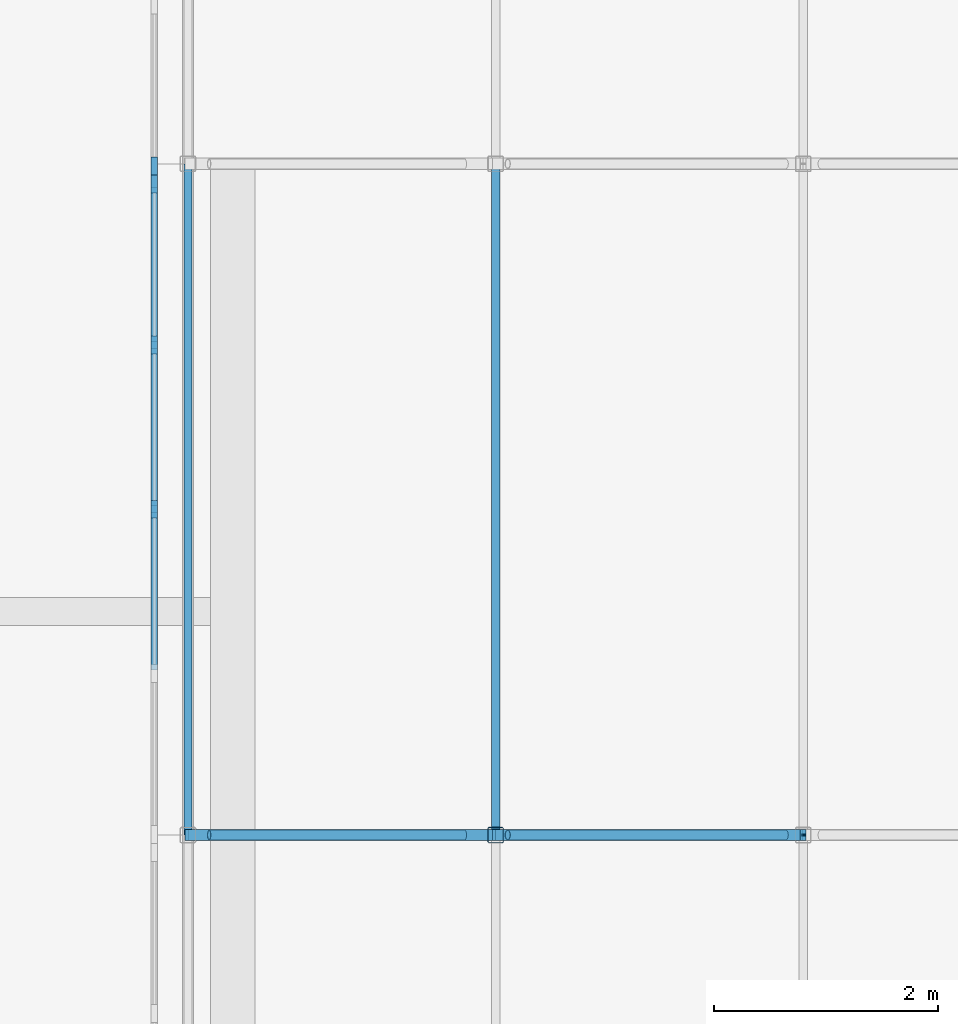
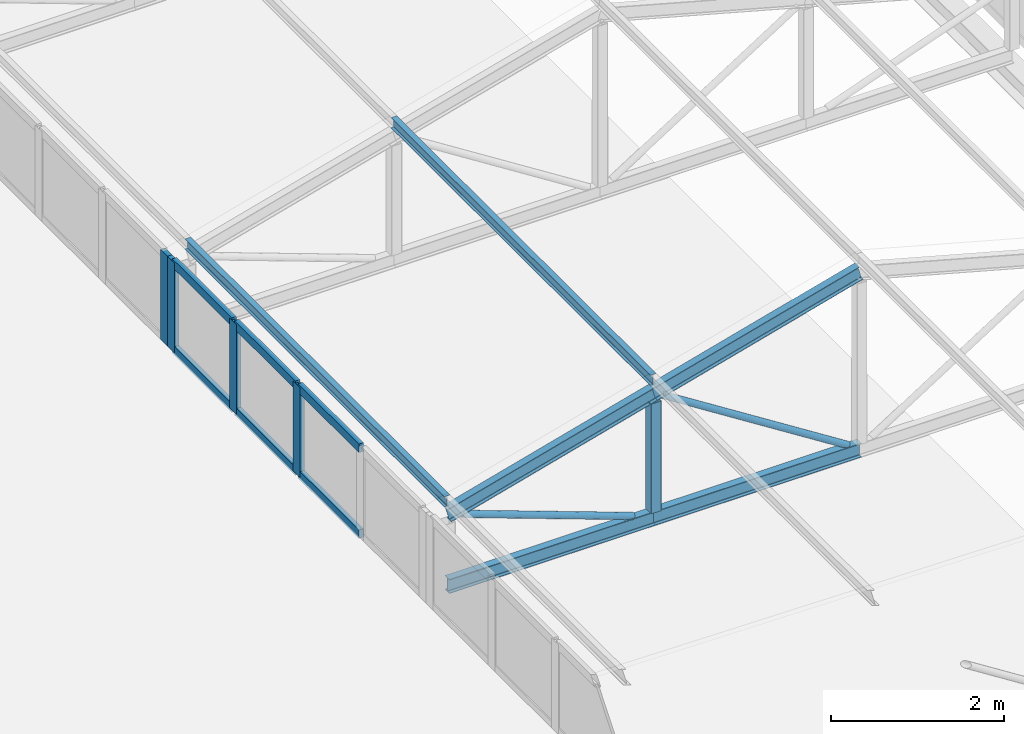
# One storey, part 38 of 94: 19 members, 2 elements without a shape of their own.
"""IFC4 building model written with IfcOpenShell, lengths in metres."""

from ifc_helpers import new_model, si_unit, direction, frame, origin, origin_2d, place, context, subcontext, project, spatial, rectangle, hollow_rectangle, hollow_circle, i_section, extrude, material, layer, layer_set, material_profile, profile_set, type_object, element, aggregate, save


model = new_model("IFC4")

# Units and contexts
model_context = context("Model", 3, precision=1e-05, world=origin(), true_north=direction((0.0, 1.0)))
body_context = subcontext(model_context, "Body", "Model", "MODEL_VIEW")
ifc_project = project(units=[si_unit("LENGTHUNIT", "METRE"), si_unit("AREAUNIT", "SQUARE_METRE"), si_unit("VOLUMEUNIT", "CUBIC_METRE"), si_unit("PLANEANGLEUNIT", "RADIAN"), si_unit("MASSUNIT", "GRAM", prefix="KILO")], contexts=[model_context])

# Site, building, storey
site_placement = place(None, origin())
site = spatial("IfcSite", under=ifc_project, at=site_placement, CompositionType="ELEMENT")
building_placement = place(site_placement, origin())
building = spatial("IfcBuilding", under=site, at=building_placement, Name="Lilac Gate Convention Centre", CompositionType="ELEMENT")
storey_placement = place(building_placement, frame((0.0, 0.0, 21.0)))
storey = spatial("IfcBuildingStorey", under=building, at=storey_placement, Name="L04", CompositionType="ELEMENT", Elevation=21.0)

# Curtain wall, members
ifc_material_1 = material(Name="Aluminium framed double glazing", Category="aluminium")
ifc_layer = layer(ifc_material_1, 0.199951171875)
ifc_layer_set = layer_set([ifc_layer], Name="Aluminium framed double glazing")
curtain_wall_type = type_object("IfcCurtainWallType", Name="Unitised curtain wall 1500", PredefinedType="NOTDEFINED", material=ifc_layer_set)
curtain_wall_1_placement = place(storey_placement, origin())
curtain_wall_1 = element("IfcCurtainWall", 1, at=curtain_wall_1_placement, inside=storey, type_object=curtain_wall_type, Name="Lantern clerestory W 20", PredefinedType="NOTDEFINED")
ifc_material_2 = material(Name="Aluminium alloy 6063", Category="aluminium")
ifc_material_profile_1 = material_profile(ifc_material_2, rectangle(XDim=0.06005859375, YDim=0.159912109375, at=origin_2d()), Name="Curtain wall mullion 60 x 160")
ifc_profile_set_1 = profile_set([ifc_material_profile_1], Name="Aluminium alloy 6063")
member_type_1 = type_object("IfcMemberType", Name="Curtain wall mullion 60 x 160", PredefinedType="MULLION", material=ifc_profile_set_1)
member_1_placement = place(storey_placement, frame((17.300048828125, 146.91259765625, 0.0), z_axis=(0.0, 0.0, 1.0), x_axis=(-1.0, 0.0, 0.0)))
member_1 = element("IfcMember", 2, at=member_1_placement, type_object=member_type_1, Name="CW mullion 3", PredefinedType="MULLION", context=body_context, shape_type="SweptSolid", body=[
    extrude(rectangle(XDim=0.06005859375, YDim=0.159912109375, at=origin_2d()), origin(), (0.0, 0.0, 1.0), 1.272216796875),
])
member_2_placement = place(storey_placement, frame((17.300048828125, 148.38134765625, 0.0), z_axis=(0.0, 0.0, 1.0), x_axis=(-1.0, 0.0, 0.0)))
member_2 = element("IfcMember", 3, at=member_2_placement, type_object=member_type_1, Name="CW mullion 4", PredefinedType="MULLION", context=body_context, shape_type="SweptSolid", body=[
    extrude(rectangle(XDim=0.06005859375, YDim=0.159912109375, at=origin_2d()), origin(), (0.0, 0.0, 1.0), 1.272216796875),
])
member_3_placement = place(storey_placement, frame((17.300048828125, 149.820068359375, 0.0), z_axis=(0.0, 0.0, 1.0), x_axis=(-1.0, 0.0, 0.0)))
member_3 = element("IfcMember", 4, at=member_3_placement, type_object=member_type_1, Name="CW mullion 5", PredefinedType="MULLION", context=body_context, shape_type="SweptSolid", body=[
    extrude(rectangle(XDim=0.06005859375, YDim=0.159912109375, at=origin_2d()), origin(), (0.0, 0.0, 1.0), 1.272216796875),
])

# Curtain wall, member
curtain_wall_2_placement = place(storey_placement, origin())
curtain_wall_2 = element("IfcCurtainWall", 5, at=curtain_wall_2_placement, inside=storey, type_object=curtain_wall_type, Name="Lantern clerestory W 21", PredefinedType="NOTDEFINED")
member_4_placement = place(storey_placement, frame((17.300048828125, 149.97998046875, 0.0), z_axis=(0.0, 0.0, 1.0), x_axis=(-1.0, 0.0, 0.0)))
member_4 = element("IfcMember", 6, at=member_4_placement, type_object=member_type_1, Name="CW mullion 1", PredefinedType="MULLION", context=body_context, shape_type="SweptSolid", body=[
    extrude(rectangle(XDim=0.06005859375, YDim=0.159912109375, at=origin_2d()), origin(), (0.0, 0.0, 1.0), 1.272216796875),
])
aggregate(curtain_wall_2, [member_4])

# Member
ifc_material_profile_2 = material_profile(ifc_material_2, rectangle(XDim=0.06005859375, YDim=0.1201171875, at=origin_2d()), Name="Curtain wall transom 60 x 120")
ifc_profile_set_2 = profile_set([ifc_material_profile_2], Name="Aluminium alloy 6063")
member_type_2 = type_object("IfcMemberType", Name="Curtain wall transom 60 x 120", PredefinedType="USERDEFINED", material=ifc_profile_set_2)
member_5_placement = place(storey_placement, frame((17.300048828125, 145.473876953125, 0.030029296875), z_axis=(0.0, 1.0, 0.0), x_axis=(-1.0, 0.0, 0.0)))
member_5 = element("IfcMember", 7, at=member_5_placement, type_object=member_type_2, Name="CW transom 2.1", ObjectType="TRANSOM", PredefinedType="USERDEFINED", context=body_context, shape_type="SweptSolid", body=[
    extrude(rectangle(XDim=0.06005859375, YDim=0.1201171875, at=origin_2d()), origin(), (0.0, 0.0, 1.0), 1.40869140625),
])

member_6_placement = place(storey_placement, frame((17.300048828125, 145.473876953125, 1.2421875), z_axis=(0.0, 1.0, 0.0), x_axis=(-1.0, 0.0, 0.0)))
member_6 = element("IfcMember", 8, at=member_6_placement, type_object=member_type_2, Name="CW transom 2.2", ObjectType="TRANSOM", PredefinedType="USERDEFINED", context=body_context, shape_type="SweptSolid", body=[
    extrude(rectangle(XDim=0.06005859375, YDim=0.1201171875, at=origin_2d()), origin(), (0.0, 0.0, 1.0), 1.40869140625),
])

member_7_placement = place(storey_placement, frame((17.300048828125, 146.942626953125, 0.030029296875), z_axis=(0.0, 1.0, 0.0), x_axis=(-1.0, 0.0, 0.0)))
member_7 = element("IfcMember", 9, at=member_7_placement, type_object=member_type_2, Name="CW transom 3.1", ObjectType="TRANSOM", PredefinedType="USERDEFINED", context=body_context, shape_type="SweptSolid", body=[
    extrude(rectangle(XDim=0.06005859375, YDim=0.1201171875, at=origin_2d()), origin(), (0.0, 0.0, 1.0), 1.40869140625),
])

member_8_placement = place(storey_placement, frame((17.300048828125, 146.942626953125, 1.2421875), z_axis=(0.0, 1.0, 0.0), x_axis=(-1.0, 0.0, 0.0)))
member_8 = element("IfcMember", 10, at=member_8_placement, type_object=member_type_2, Name="CW transom 3.2", ObjectType="TRANSOM", PredefinedType="USERDEFINED", context=body_context, shape_type="SweptSolid", body=[
    extrude(rectangle(XDim=0.06005859375, YDim=0.1201171875, at=origin_2d()), origin(), (0.0, 0.0, 1.0), 1.40869140625),
])

member_9_placement = place(storey_placement, frame((17.300048828125, 148.411376953125, 0.030029296875), z_axis=(0.0, 1.0, 0.0), x_axis=(-1.0, 0.0, 0.0)))
member_9 = element("IfcMember", 11, at=member_9_placement, type_object=member_type_2, Name="CW transom 4.1", ObjectType="TRANSOM", PredefinedType="USERDEFINED", context=body_context, shape_type="SweptSolid", body=[
    extrude(rectangle(XDim=0.06005859375, YDim=0.1201171875, at=origin_2d()), origin(), (0.0, 0.0, 1.0), 1.378662109375),
])

member_10_placement = place(storey_placement, frame((17.300048828125, 148.411376953125, 1.2421875), z_axis=(0.0, 1.0, 0.0), x_axis=(-1.0, 0.0, 0.0)))
member_10 = element("IfcMember", 12, at=member_10_placement, type_object=member_type_2, Name="CW transom 4.2", ObjectType="TRANSOM", PredefinedType="USERDEFINED", context=body_context, shape_type="SweptSolid", body=[
    extrude(rectangle(XDim=0.06005859375, YDim=0.1201171875, at=origin_2d()), origin(), (0.0, 0.0, 1.0), 1.378662109375),
])

aggregate(curtain_wall_1, [member_1, member_2, member_3, member_5, member_6, member_7, member_8, member_9, member_10])

# Members
ifc_material_3 = material(Name="Steel Q355B", Category="steel")
ifc_material_profile_3 = material_profile(ifc_material_3, i_section(OverallWidth=0.10009765625, OverallDepth=0.199951171875, WebThickness=0.005615234375, FlangeThickness=0.008056640625, FilletRadius=0.008056640625, at=origin_2d()), Name="HN200x100x5.5x8")
ifc_profile_set_3 = profile_set([ifc_material_profile_3], Name="Steel Q355B")
member_type_3 = type_object("IfcMemberType", Name="Lantern bottom chord HN200x100x5.5x8", PredefinedType="CHORD", material=ifc_profile_set_3)
for number, where, z_axis, x_axis, name in (
    (13, (17.60009765625, 144.0, 0.10009765625), (1.0, 0.0, 0.0), (0.0, 1.0, 0.0), "LB1 lantern truss 20 bottom chord 1"),
    (14, (20.35009765625, 144.0, 0.10009765625), (1.0, 0.0, 0.0), (0.0, 1.0, 0.0), "LB1 lantern truss 20 bottom chord 2"),
):
    element("IfcMember", number, at=place(storey_placement, frame(where, z_axis=z_axis, x_axis=x_axis)), inside=storey, type_object=member_type_3, Name=name, PredefinedType="CHORD", context=body_context, shape_type="SweptSolid", body=[
        extrude(i_section(OverallWidth=0.10009765625, OverallDepth=0.199951171875, WebThickness=0.005615234375, FlangeThickness=0.008056640625, FilletRadius=0.008056640625, at=origin_2d()), origin(), (0.0, 0.0, 1.0), 2.75),
    ])
ifc_material_profile_4 = material_profile(ifc_material_3, hollow_circle(Radius=0.04443359375, WallThickness=0.0048828125, at=origin_2d()), Name="CHS88.9x5")
ifc_profile_set_4 = profile_set([ifc_material_profile_4], Name="Steel Q355B")
member_type_4 = type_object("IfcMemberType", Name="Lantern diagonal CHS88.9x5", PredefinedType="BRACE", material=ifc_profile_set_4)
member_11_placement = place(storey_placement, frame((17.789794921875, 144.0, 1.031005859375), z_axis=(0.939781696917, 0.0, -0.341775309434), x_axis=(0.0, 1.0, 0.0)))
element("IfcMember", 15, at=member_11_placement, inside=storey, type_object=member_type_4, Name="LW1 lantern truss 20 diagonal 1", PredefinedType="BRACE", context=body_context, shape_type="SweptSolid", body=[
    extrude(hollow_circle(Radius=0.04443359375, WallThickness=0.0048828125, at=origin_2d()), origin(), (0.0, 0.0, 1.0), 2.431640625),
])
member_12_placement = place(storey_placement, frame((20.45849609375, 144.0, 1.781005859375), z_axis=(0.843647832412, 0.0, -0.536896949951), x_axis=(0.0, 1.0, 0.0)))
element("IfcMember", 16, at=member_12_placement, inside=storey, type_object=member_type_4, Name="LW1 lantern truss 20 diagonal 2", PredefinedType="BRACE", context=body_context, shape_type="SweptSolid", body=[
    extrude(hollow_circle(Radius=0.04443359375, WallThickness=0.0048828125, at=origin_2d()), origin(), (0.0, 0.0, 1.0), 2.94482421875),
])
ifc_material_profile_5 = material_profile(ifc_material_3, hollow_rectangle(XDim=0.139892578125, YDim=0.139892578125, WallThickness=0.0048828125, InnerFilletRadius=0.0048828125, OuterFilletRadius=0.010009765625, at=origin_2d()), Name="SHS140x140x5")
ifc_profile_set_5 = profile_set([ifc_material_profile_5], Name="Steel Q355B")
member_type_5 = type_object("IfcMemberType", Name="Lantern post SHS140x140x5", PredefinedType="STRUT", material=ifc_profile_set_5)
member_13_placement = place(storey_placement, frame((20.35009765625, 144.0, 0.199951171875), z_axis=(0.0, 0.0, 1.0), x_axis=(1.0, 0.0, 0.0)))
element("IfcMember", 17, at=member_13_placement, inside=storey, type_object=member_type_5, Name="LV1 lantern truss 20 post 2", PredefinedType="STRUT", context=body_context, shape_type="SweptSolid", body=[
    extrude(hollow_rectangle(XDim=0.139892578125, YDim=0.139892578125, WallThickness=0.0048828125, InnerFilletRadius=0.0048828125, OuterFilletRadius=0.010009765625, at=origin_2d()), origin(), (0.0, 0.0, 1.0), 1.546142578125),
])
ifc_material_profile_6 = material_profile(ifc_material_3, i_section(OverallWidth=0.074951171875, OverallDepth=0.14990234375, WebThickness=0.0048828125, FlangeThickness=0.007080078125, FilletRadius=0.008056640625, at=origin_2d()), Name="HN150x75x5x7")
ifc_profile_set_6 = profile_set([ifc_material_profile_6], Name="Steel Q355B")
member_type_6 = type_object("IfcMemberType", Name="Lantern purlin HN150x75x5x7", PredefinedType="PURLIN", material=ifc_profile_set_6)
for number, where, z_axis, x_axis, name in (
    (18, (17.60009765625, 144.0, 1.279052734375), (0.0, 1.0, 0.0), (-1.0, 0.0, 0.0), "LP1 lantern purlin bay 20 line 1"),
    (19, (20.35009765625, 144.0, 2.029052734375), (0.0, 1.0, 0.0), (-1.0, 0.0, 0.0), "LP1 lantern purlin bay 20 line 2"),
):
    element("IfcMember", number, at=place(storey_placement, frame(where, z_axis=z_axis, x_axis=x_axis)), inside=storey, type_object=member_type_6, Name=name, PredefinedType="PURLIN", context=body_context, shape_type="SweptSolid", body=[
        extrude(i_section(OverallWidth=0.074951171875, OverallDepth=0.14990234375, WebThickness=0.0048828125, FlangeThickness=0.007080078125, FilletRadius=0.008056640625, at=origin_2d()), origin(), (0.0, 0.0, 1.0), 6.0),
    ])
ifc_material_profile_7 = material_profile(ifc_material_3, i_section(OverallWidth=0.10009765625, OverallDepth=0.199951171875, WebThickness=0.005615234375, FlangeThickness=0.008056640625, FilletRadius=0.008056640625, at=origin_2d()), Name="HN200x100x5.5x8")
ifc_profile_set_7 = profile_set([ifc_material_profile_7], Name="Steel Q355B")
member_type_7 = type_object("IfcMemberType", Name="Lantern top chord HN200x100x5.5x8", PredefinedType="CHORD", material=ifc_profile_set_7)
for number, where, z_axis, x_axis, name in (
    (20, (17.60009765625, 144.0, 1.10009765625), (0.964763821238, 0.0, 0.263117405792), (0.0, 1.0, 0.0), "LT1 lantern truss 20 top chord 1"),
    (21, (20.35009765625, 144.0, 1.85009765625), (0.964763821238, 0.0, 0.263117405792), (0.0, 1.0, 0.0), "LT1 lantern truss 20 top chord 2"),
):
    element("IfcMember", number, at=place(storey_placement, frame(where, z_axis=z_axis, x_axis=x_axis)), inside=storey, type_object=member_type_7, Name=name, PredefinedType="CHORD", context=body_context, shape_type="SweptSolid", body=[
        extrude(i_section(OverallWidth=0.10009765625, OverallDepth=0.199951171875, WebThickness=0.005615234375, FlangeThickness=0.008056640625, FilletRadius=0.008056640625, at=origin_2d()), origin(), (0.0, 0.0, 1.0), 2.850341796875),
    ])

save(model, "model.ifc")
